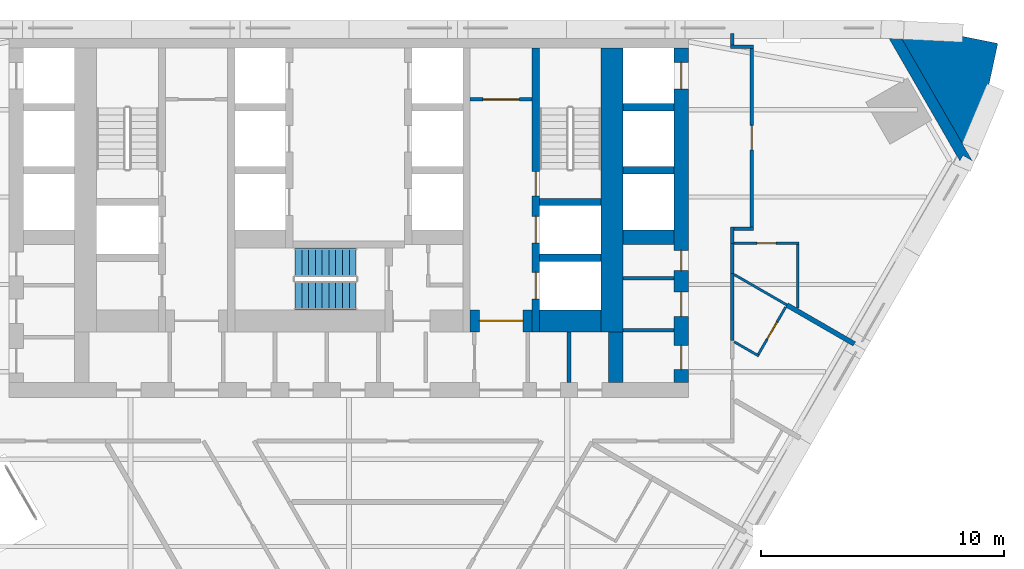
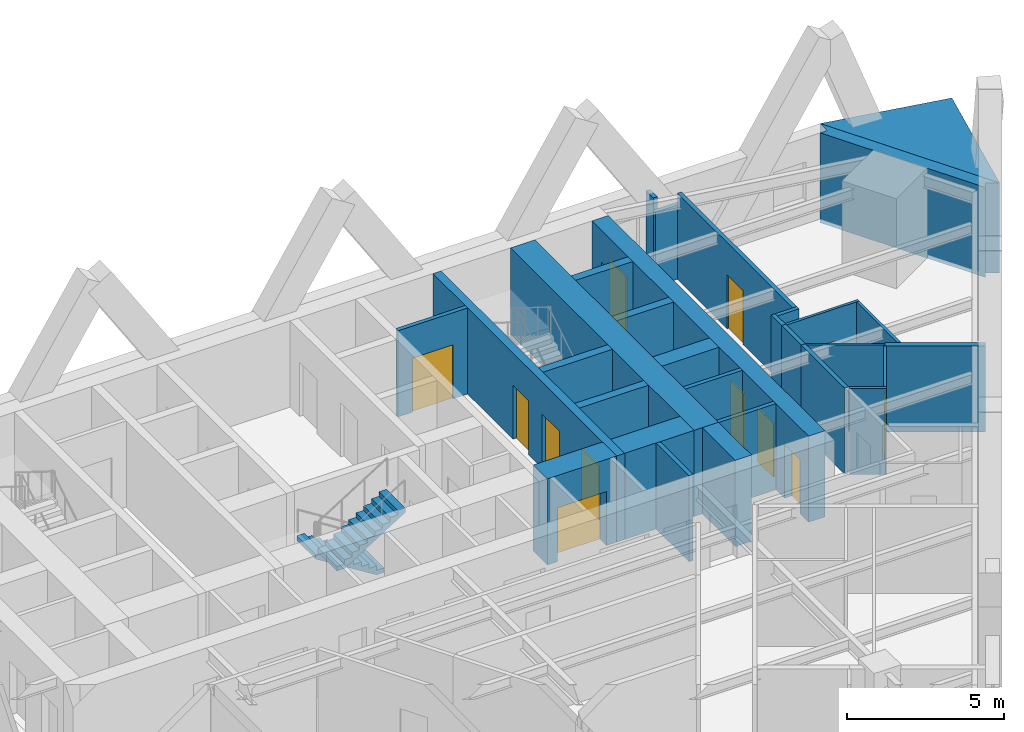
# One storey, part 9 of 12: 30 walls, 12 doors, 2 stair flights, 12 openings, 1 element without a shape of its own.
"""IFC4 building model written with IfcOpenShell, lengths in metres."""

import ifcopenshell
import ifcopenshell.guid

model = None  # the IFC model being written
_history = None  # IfcOwnerHistory: only IFC2X3 demands one
_inside = {}  # id of a spatial element -> (the spatial element, [elements in it])
_under = {}  # id of a project, library or spatial element -> (it, [spatial elements below it])
_declared = {}  # id of a project -> (the project, [libraries it declares])
_typed = {}  # id of a type object -> (the type object, [elements of that type])
_made_of = {}  # id of a material, layer set ... -> (it, [elements and type objects made of it])


def new_model(schema):
    """Start an empty IFC model of exactly this schema.

    Asked for "IFC4X3", IfcOpenShell would pick the latest addendum, in which some entities
    have other attributes; the version numbers below select the first issue.
    IFC2X3 requires an IfcOwnerHistory on every rooted entity: one is made here for all.
    """
    global model, _history
    if schema == "IFC4X3":
        model = ifcopenshell.file(schema_version=(4, 3, 0, 0))
    else:
        model = ifcopenshell.file(schema=schema)
    _inside.clear()
    _under.clear()
    _declared.clear()
    _typed.clear()
    _made_of.clear()
    _history = None
    if model.schema == "IFC2X3":
        org = make("IfcOrganization", Name="unknown")
        user = make(
            "IfcPersonAndOrganization",
            ThePerson=make("IfcPerson", FamilyName="unknown"),
            TheOrganization=org,
        )
        app = make(
            "IfcApplication",
            ApplicationDeveloper=org,
            Version="unknown",
            ApplicationFullName="unknown",
            ApplicationIdentifier="unknown",
        )
        _history = make(
            "IfcOwnerHistory",
            OwningUser=user,
            OwningApplication=app,
            ChangeAction="ADDED",
            CreationDate=0,
        )
    return model


def make(cls, **values):
    """One entity of the class cls with the attributes given. An attribute that is None is left unset."""
    return model.create_entity(
        cls, **{name: value for name, value in values.items() if value is not None}
    )


def rooted(cls, **values):
    """An entity with a GlobalId (a new one), such as an element, a storey or a relation."""
    return make(cls, GlobalId=ifcopenshell.guid.new(), OwnerHistory=_history, **values)


def si_unit(unit_type, name, prefix=None):
    """IfcSIUnit, for example si_unit("LENGTHUNIT", "METRE", prefix="MILLI")."""
    return make("IfcSIUnit", UnitType=unit_type, Prefix=prefix, Name=name)


def assignment(units):
    """IfcUnitAssignment: the units of a project."""
    return None if units is None else make("IfcUnitAssignment", Units=units)


def point(xyz):
    """IfcCartesianPoint."""
    return None if xyz is None else make("IfcCartesianPoint", Coordinates=xyz)


def direction(xyz):
    """IfcDirection."""
    return None if xyz is None else make("IfcDirection", DirectionRatios=xyz)


def frame(location, z_axis=None, x_axis=None):
    """IfcAxis2Placement3D, a coordinate frame: its origin and axes. An axis left out is left unset."""
    return make(
        "IfcAxis2Placement3D",
        Location=point(location),
        Axis=direction(z_axis),
        RefDirection=direction(x_axis),
    )


def frame_2d(location, x_axis=None):
    """IfcAxis2Placement2D, a coordinate frame in the plane: its origin and x axis."""
    return make(
        "IfcAxis2Placement2D", Location=point(location), RefDirection=direction(x_axis)
    )


def origin():
    """The frame at (0, 0, 0) with its axes left unset."""
    return frame((0.0, 0.0, 0.0))


def place(relative_to, where):
    """IfcLocalPlacement: puts the frame where relative to a parent placement (None: the world)."""
    return make(
        "IfcLocalPlacement", PlacementRelTo=relative_to, RelativePlacement=where
    )


def context(
    kind, dimensions, precision=None, world=None, true_north=None, identifier=None
):
    """IfcGeometricRepresentationContext, for example the 3D "Model" context."""
    return make(
        "IfcGeometricRepresentationContext",
        ContextIdentifier=identifier,
        ContextType=kind,
        CoordinateSpaceDimension=dimensions,
        Precision=precision,
        WorldCoordinateSystem=world,
        TrueNorth=true_north,
    )


def subcontext(parent, identifier, kind, view, scale=None):
    """IfcGeometricRepresentationSubContext, for example "Body" below "Model"."""
    return make(
        "IfcGeometricRepresentationSubContext",
        ContextIdentifier=identifier,
        ContextType=kind,
        ParentContext=parent,
        TargetScale=scale,
        TargetView=view,
    )


def project(units=None, contexts=None):
    """IfcProject with its units and contexts."""
    return rooted(
        "IfcProject",
        Name="project",
        RepresentationContexts=contexts,
        UnitsInContext=assignment(units),
    )


def spatial(cls, under=None, at=None, **own):
    """A site, building, storey or space (cls), placed at a placement, below another one or the project."""
    s = rooted(cls, ObjectPlacement=at, **own)
    if under is not None:
        _under.setdefault(under.id(), (under, []))[1].append(s)
    return s


def polyline(points):
    """IfcPolyline through the points."""
    return make("IfcPolyline", Points=[point(p) for p in points])


def profile(cls, at=None, kind="AREA", **sizes):
    """A parametric profile (cls). Its sizes go by their IFC names, for example OverallWidth=200.0."""
    return make(cls, ProfileType=kind, Position=at, **sizes)


def rectangle(**sizes):
    """IfcRectangleProfileDef."""
    return profile("IfcRectangleProfileDef", **sizes)


def outline(outer, holes=None, kind="AREA"):
    """IfcArbitraryClosedProfileDef: a profile drawn as a closed curve; with holes, ...WithVoids."""
    if holes is None:
        return make("IfcArbitraryClosedProfileDef", ProfileType=kind, OuterCurve=outer)
    return make(
        "IfcArbitraryProfileDefWithVoids",
        ProfileType=kind,
        OuterCurve=outer,
        InnerCurves=holes,
    )


def extrude(swept, where, along, depth):
    """IfcExtrudedAreaSolid: the profile swept, set in the frame where, extruded along a direction by depth."""
    return make(
        "IfcExtrudedAreaSolid",
        SweptArea=swept,
        Position=where,
        ExtrudedDirection=direction(along),
        Depth=depth,
    )


def shape(context_of_items, identifier, shape_type, items):
    """IfcShapeRepresentation: the items that make up one representation, for example the "Body"."""
    return make(
        "IfcShapeRepresentation",
        ContextOfItems=context_of_items,
        RepresentationIdentifier=identifier,
        RepresentationType=shape_type,
        Items=items,
    )


def material(Name=None, Category=None):
    """IfcMaterial."""
    return make("IfcMaterial", Name=Name, Category=Category)


def layer(
    of_material, thickness, ventilated=None, Name=None, Category=None, Priority=None
):
    """IfcMaterialLayer: one layer of a wall or slab, of a material (None: an air gap)."""
    return make(
        "IfcMaterialLayer",
        Material=of_material,
        LayerThickness=thickness,
        IsVentilated=ventilated,
        Name=Name,
        Category=Category,
        Priority=Priority,
    )


def layer_set(layers, Name=None):
    """IfcMaterialLayerSet."""
    return make("IfcMaterialLayerSet", MaterialLayers=layers, LayerSetName=Name)


def made_of(thing, what):
    """Note that an element or type object is made of a material, layer set ...; save() writes the relation."""
    if what is not None:
        _made_of.setdefault(what.id(), (what, []))[1].append(thing)
    return thing


def type_object(cls, material=None, **own):
    """A type object (cls), such as IfcWallType, which elements share."""
    return made_of(rooted(cls, **own), material)


def element(
    cls,
    number,
    at=None,
    inside=None,
    cuts=None,
    type_object=None,
    material=None,
    context=None,
    identifier="Body",
    shape_type=None,
    held_by="IfcProductDefinitionShape",
    body=None,
    shapes=None,
    **own,
):
    """One element of the class cls, such as IfcWall. Its Tag is "e" and its number.

    at: its placement. inside: the storey or other place that contains it. cuts: it is an
    opening in that element (IfcRelVoidsElement). A single representation is given by context,
    identifier, shape_type and body (its items); several are given by shapes. held_by: the class
    of the entity that holds the representations. save() writes the other relations.
    """
    e = rooted(cls, Tag="e%d" % number, ObjectPlacement=at, **own)
    if body is not None:
        shapes = [shape(context, identifier, shape_type, body)]
    if shapes is not None:
        e.Representation = make(held_by, Representations=shapes)
    if inside is not None:
        _inside.setdefault(inside.id(), (inside, []))[1].append(e)
    if cuts is not None:
        rooted(
            "IfcRelVoidsElement", RelatingBuildingElement=cuts, RelatedOpeningElement=e
        )
    if type_object is not None:
        _typed.setdefault(type_object.id(), (type_object, []))[1].append(e)
    return made_of(e, material)


def fill(opening, filler):
    """IfcRelFillsElement: the door or window that sits in an opening."""
    return rooted(
        "IfcRelFillsElement",
        RelatingOpeningElement=opening,
        RelatedBuildingElement=filler,
    )


def aggregate(whole, parts):
    """IfcRelAggregates: a whole, such as a stair, and the parts it consists of."""
    return rooted("IfcRelAggregates", RelatingObject=whole, RelatedObjects=parts)


def save(model, path):
    """Write the relations noted so far, then the file.

    IfcRelAggregates (storeys below a building ...), IfcRelContainedInSpatialStructure (elements
    in a storey), IfcRelDefinesByType, IfcRelAssociatesMaterial and IfcRelDeclares: one each for
    every whole, place, type object, material and project.
    """
    for whole, parts in _under.values():
        aggregate(whole, parts)
    for where, things in _inside.values():
        rooted(
            "IfcRelContainedInSpatialStructure",
            RelatedElements=things,
            RelatingStructure=where,
        )
    for kind, things in _typed.values():
        rooted("IfcRelDefinesByType", RelatedObjects=things, RelatingType=kind)
    for what, things in _made_of.values():
        rooted("IfcRelAssociatesMaterial", RelatedObjects=things, RelatingMaterial=what)
    for by, libraries in _declared.values():
        rooted("IfcRelDeclares", RelatingContext=by, RelatedDefinitions=libraries)
    model.write(path)


model = new_model("IFC4")

# Units and contexts
model_context = context("Model", 3, precision=1e-05, world=origin(), true_north=direction((0.0, 1.0)))
body_context = subcontext(model_context, "Body", "Model", "MODEL_VIEW")
ifc_project = project(units=[si_unit("LENGTHUNIT", "METRE"), si_unit("AREAUNIT", "SQUARE_METRE"), si_unit("VOLUMEUNIT", "CUBIC_METRE"), si_unit("PLANEANGLEUNIT", "RADIAN"), si_unit("MASSUNIT", "GRAM", prefix="KILO")], contexts=[model_context])

# Site, building, storey
site_placement = place(None, origin())
site = spatial("IfcSite", under=ifc_project, at=site_placement, CompositionType="ELEMENT")
building_placement = place(site_placement, origin())
building = spatial("IfcBuilding", under=site, at=building_placement, Name="Aloe Facet Convention Tower", CompositionType="ELEMENT")
storey_placement = place(building_placement, frame((0.0, 0.0, 56.0)))
storey = spatial("IfcBuildingStorey", under=building, at=storey_placement, Name="L12", CompositionType="ELEMENT", Elevation=56.0)

# Wall, opening, door
ifc_material_1 = material(Name="Concrete blockwork partition", Category="masonry")
ifc_layer_1 = layer(ifc_material_1, 0.14990234375)
ifc_layer_set_1 = layer_set([ifc_layer_1], Name="CR-W-PART150")
wall_type_1 = type_object("IfcWallType", Name="CR-W-PART150", PredefinedType="PARTITIONING", material=ifc_layer_set_1)
wall_1_placement = place(storey_placement, frame((85.0, 131.824951171875, 0.0), z_axis=(0.0, 0.0, 1.0), x_axis=(1.0, 0.0, 0.0)))
wall_1 = element("IfcWall", 1, at=wall_1_placement, inside=storey, type_object=wall_type_1, Name="Core partition L12-039", PredefinedType="PARTITIONING", context=body_context, shape_type="SweptSolid", body=[
    extrude(rectangle(XDim=2.550048828125, YDim=0.14990234375, at=frame_2d((1.27490234375, 0.0))), origin(), (0.0, 0.0, 1.0), 3.35009765625),
])
opening_1_placement = place(wall_1_placement, frame((0.52490234375, 0.0, 0.0)))
opening_1 = element("IfcOpeningElement", 2, at=opening_1_placement, cuts=wall_1, Name="Opening L12-CD21", PredefinedType="OPENING", context=body_context, shape_type="SweptSolid", body=[
    extrude(rectangle(XDim=1.5, YDim=2.10009765625, at=frame_2d((0.75, 1.050048828125))), frame((0.0, 0.0849609375, 0.0), z_axis=(0.0, -1.0, 0.0), x_axis=(1.0, 0.0, 0.0)), (0.0, 0.0, 1.0), 0.169921875),
])
ifc_material_2 = material(Name="Steel fire-resisting door set FD60", Category="steel")
door_type_1 = type_object("IfcDoorType", Name="CR-D-REFUGE-1500-FD60-DD", OperationType="DOUBLE_DOOR_DOUBLE_SWING", PredefinedType="DOOR", material=ifc_material_2)
door_1_placement = place(opening_1_placement, origin())
door_1 = element("IfcDoor", 3, at=door_1_placement, inside=storey, type_object=door_type_1, Name="Core door L12-CD21", OperationType="DOUBLE_DOOR_DOUBLE_SWING", OverallHeight=2.10009765625, OverallWidth=1.5, PredefinedType="DOOR", context=body_context, shape_type="SweptSolid", body=[
    extrude(rectangle(XDim=1.5, YDim=2.10009765625, at=frame_2d((0.75, 1.050048828125))), frame((0.0, 0.02490234375, 0.0), z_axis=(0.0, -1.0, 0.0), x_axis=(1.0, 0.0, 0.0)), (0.0, 0.0, 1.0), 0.050048828125),
])
fill(opening_1, door_1)

# Walls
wall_2_placement = place(storey_placement, frame((89.074951171875, 122.25, 0.0), z_axis=(0.0, 0.0, 1.0), x_axis=(0.0, -1.0, 0.0)))
element("IfcWall", 4, at=wall_2_placement, inside=storey, type_object=wall_type_1, Name="Core partition L12-047", PredefinedType="PARTITIONING", context=body_context, shape_type="SweptSolid", body=[
    extrude(rectangle(XDim=2.10009765625, YDim=0.14990234375, at=frame_2d((1.050048828125, 0.0))), origin(), (0.0, 0.0, 1.0), 3.35009765625),
])
for number, where, z_axis, x_axis, name in (
    (5, (91.300048828125, 124.44873046875, 0.0), (0.0, 0.0, 1.0), (1.0, 0.0, 0.0), "Core partition L12-053"),
    (6, (91.300048828125, 122.309326171875, 0.0), (0.0, 0.0, 1.0), (1.0, 0.0, 0.0), "Core partition L12-054"),
):
    element("IfcWall", number, at=place(storey_placement, frame(where, z_axis=z_axis, x_axis=x_axis)), inside=storey, type_object=wall_type_1, Name=name, PredefinedType="PARTITIONING", context=body_context, shape_type="SweptSolid", body=[
        extrude(rectangle(XDim=2.099853515625, YDim=0.14990234375, at=frame_2d((1.0498046875, 0.0))), origin(), (0.0, 0.0, 1.0), 3.35009765625),
    ])

# Wall, openings, doors
ifc_material_3 = material(Name="Concrete C80/95", Category="concrete")
ifc_layer_2 = layer(ifc_material_3, 0.300048828125)
ifc_layer_set_2 = layer_set([ifc_layer_2], Name="CR-W-RC300-C8095")
wall_type_2 = type_object("IfcWallType", Name="CR-W-RC300-C8095", PredefinedType="SOLIDWALL", material=ifc_layer_set_2)
wall_3_placement = place(storey_placement, frame((87.699951171875, 133.949951171875, 0.0), z_axis=(0.0, 0.0, 1.0), x_axis=(0.0, -1.0, 0.0)))
wall_3 = element("IfcWall", 7, at=wall_3_placement, inside=storey, type_object=wall_type_2, Name="Core wall L12-043", PredefinedType="SOLIDWALL", context=body_context, shape_type="SweptSolid", body=[
    extrude(rectangle(XDim=11.699951171875, YDim=0.300048828125, at=frame_2d((5.85009765625, 0.0))), origin(), (0.0, 0.0, 1.0), 3.35009765625),
])
opening_2_placement = place(wall_3_placement, frame((6.949951171875, 0.0, 0.0)))
opening_2 = element("IfcOpeningElement", 8, at=opening_2_placement, cuts=wall_3, Name="Opening LD-FF2-L12", PredefinedType="OPENING", context=body_context, shape_type="SweptSolid", body=[
    extrude(rectangle(XDim=1.10009765625, YDim=2.10009765625, at=frame_2d((0.550048828125, 1.050048828125))), frame((0.0, 0.16015625, 0.0), z_axis=(0.0, -1.0, 0.0), x_axis=(1.0, 0.0, 0.0)), (0.0, 0.0, 1.0), 0.320068359375),
])
opening_3_placement = place(wall_3_placement, frame((5.10009765625, 0.0, 0.0)))
opening_3 = element("IfcOpeningElement", 9, at=opening_3_placement, cuts=wall_3, Name="Opening L12-CD32", PredefinedType="OPENING", context=body_context, shape_type="SweptSolid", body=[
    extrude(rectangle(XDim=1.0, YDim=2.10009765625, at=frame_2d((0.5, 1.050048828125))), frame((0.0, 0.16015625, 0.0), z_axis=(0.0, -1.0, 0.0), x_axis=(1.0, 0.0, 0.0)), (0.0, 0.0, 1.0), 0.320068359375),
])
opening_4_placement = place(wall_3_placement, frame((9.25, 0.0, 0.0)))
opening_4 = element("IfcOpeningElement", 10, at=opening_4_placement, cuts=wall_3, Name="Opening LD-SV1-L12", PredefinedType="OPENING", context=body_context, shape_type="SweptSolid", body=[
    extrude(rectangle(XDim=1.10009765625, YDim=2.10009765625, at=frame_2d((0.550048828125, 1.050048828125))), frame((0.0, 0.16015625, 0.0), z_axis=(0.0, -1.0, 0.0), x_axis=(1.0, 0.0, 0.0)), (0.0, 0.0, 1.0), 0.320068359375),
])
ifc_material_4 = material(Name="Steel fire-resisting door set FD120", Category="steel")
door_type_2 = type_object("IfcDoorType", Name="CR-D-STAIR-1000-FD120-SLEFT", OperationType="SINGLE_SWING_LEFT", PredefinedType="DOOR", material=ifc_material_4)
door_2_placement = place(opening_3_placement, origin())
door_2 = element("IfcDoor", 11, at=door_2_placement, inside=storey, type_object=door_type_2, Name="Core door L12-CD32", OperationType="SINGLE_SWING_LEFT", OverallHeight=2.10009765625, OverallWidth=1.0, PredefinedType="DOOR", context=body_context, shape_type="SweptSolid", body=[
    extrude(rectangle(XDim=1.0, YDim=2.10009765625, at=frame_2d((0.5, 1.050048828125))), frame((0.0, 0.02490234375, 0.0), z_axis=(0.0, -1.0, 0.0), x_axis=(1.0, 0.0, 0.0)), (0.0, 0.0, 1.0), 0.050048828125),
])
fill(opening_3, door_2)
ifc_material_5 = material(Name="Stainless steel sliding landing door", Category="steel")
door_type_3 = type_object("IfcDoorType", Name="CR-LD-1100-FD120-_LEFT", OperationType="SLIDING_TO_LEFT", PredefinedType="DOOR", material=ifc_material_5)
door_3_placement = place(opening_2_placement, origin())
door_3 = element("IfcDoor", 12, at=door_3_placement, inside=storey, type_object=door_type_3, Name="Landing door FF2 L12", OperationType="SLIDING_TO_LEFT", OverallHeight=2.10009765625, OverallWidth=1.10009765625, PredefinedType="DOOR", context=body_context, shape_type="SweptSolid", body=[
    extrude(rectangle(XDim=1.10009765625, YDim=2.10009765625, at=frame_2d((0.550048828125, 1.050048828125))), frame((0.0, 0.02490234375, 0.0), z_axis=(0.0, -1.0, 0.0), x_axis=(1.0, 0.0, 0.0)), (0.0, 0.0, 1.0), 0.050048828125),
])
fill(opening_2, door_3)
door_4_placement = place(opening_4_placement, origin())
door_4 = element("IfcDoor", 13, at=door_4_placement, inside=storey, type_object=door_type_3, Name="Landing door SV1 L12", OperationType="SLIDING_TO_LEFT", OverallHeight=2.10009765625, OverallWidth=1.10009765625, PredefinedType="DOOR", context=body_context, shape_type="SweptSolid", body=[
    extrude(rectangle(XDim=1.10009765625, YDim=2.10009765625, at=frame_2d((0.550048828125, 1.050048828125))), frame((0.0, 0.02490234375, 0.0), z_axis=(0.0, -1.0, 0.0), x_axis=(1.0, 0.0, 0.0)), (0.0, 0.0, 1.0), 0.050048828125),
])
fill(opening_4, door_4)

# Walls
for number, where, z_axis, x_axis, name in (
    (14, (87.85009765625, 127.60009765625, 0.0), (0.0, 0.0, 1.0), (1.0, 0.0, 0.0), "Core wall L12-044"),
    (15, (87.85009765625, 125.300048828125, 0.0), (0.0, 0.0, 1.0), (1.0, 0.0, 0.0), "Core wall L12-045"),
):
    element("IfcWall", number, at=place(storey_placement, frame(where, z_axis=z_axis, x_axis=x_axis)), inside=storey, type_object=wall_type_2, Name=name, PredefinedType="SOLIDWALL", context=body_context, shape_type="SweptSolid", body=[
        extrude(rectangle(XDim=2.5498046875, YDim=0.300048828125, at=frame_2d((1.27490234375, 0.0))), origin(), (0.0, 0.0, 1.0), 3.35009765625),
    ])
for number, where, z_axis, x_axis, name in (
    (16, (91.300048828125, 131.5, 0.0), (0.0, 0.0, 1.0), (1.0, 0.0, 0.0), "Core wall L12-050"),
    (17, (91.300048828125, 128.89990234375, 0.0), (0.0, 0.0, 1.0), (1.0, 0.0, 0.0), "Core wall L12-051"),
):
    element("IfcWall", number, at=place(storey_placement, frame(where, z_axis=z_axis, x_axis=x_axis)), inside=storey, type_object=wall_type_2, Name=name, PredefinedType="SOLIDWALL", context=body_context, shape_type="SweptSolid", body=[
        extrude(rectangle(XDim=2.099853515625, YDim=0.300048828125, at=frame_2d((1.0498046875, 0.0))), origin(), (0.0, 0.0, 1.0), 3.35009765625),
    ])
ifc_material_6 = material(Name="Concrete C80/95", Category="concrete")
ifc_layer_3 = layer(ifc_material_6, 0.60009765625)
ifc_layer_set_3 = layer_set([ifc_layer_3], Name="CR-W-RC600-C8095")
wall_type_3 = type_object("IfcWallType", Name="CR-W-RC600-C8095", PredefinedType="SOLIDWALL", material=ifc_layer_set_3)
wall_4_placement = place(storey_placement, frame((91.0, 122.25, 0.0), z_axis=(0.0, 0.0, 1.0), x_axis=(0.0, -1.0, 0.0)))
element("IfcWall", 18, at=wall_4_placement, inside=storey, type_object=wall_type_3, Name="Core wall L12-049", PredefinedType="SOLIDWALL", context=body_context, shape_type="SweptSolid", body=[
    extrude(rectangle(XDim=2.10009765625, YDim=0.60009765625, at=frame_2d((1.050048828125, 0.0))), origin(), (0.0, 0.0, 1.0), 3.35009765625),
])
wall_5_placement = place(storey_placement, frame((91.300048828125, 126.14990234375, 0.0), z_axis=(0.0, 0.0, 1.0), x_axis=(1.0, 0.0, 0.0)))
element("IfcWall", 19, at=wall_5_placement, inside=storey, type_object=wall_type_3, Name="Core wall L12-052", PredefinedType="SOLIDWALL", context=body_context, shape_type="SweptSolid", body=[
    extrude(rectangle(XDim=2.099853515625, YDim=0.60009765625, at=frame_2d((1.0498046875, 0.0))), origin(), (0.0, 0.0, 1.0), 3.35009765625),
])

# Wall, openings, doors
wall_6_placement = place(storey_placement, frame((93.699951171875, 133.949951171875, 0.0), z_axis=(0.0, 0.0, 1.0), x_axis=(0.0, -1.0, 0.0)))
wall_6 = element("IfcWall", 20, at=wall_6_placement, inside=storey, type_object=wall_type_3, Name="Core wall L12-055", PredefinedType="SOLIDWALL", context=body_context, shape_type="SweptSolid", body=[
    extrude(rectangle(XDim=13.800048828125, YDim=0.60009765625, at=frame_2d((6.89990234375, 0.0))), origin(), (0.0, 0.0, 1.0), 3.35009765625),
])
opening_5_placement = place(wall_6_placement, frame((0.60009765625, 0.0, 0.0)))
opening_5 = element("IfcOpeningElement", 21, at=opening_5_placement, cuts=wall_6, Name="Opening LD-A8-L12", PredefinedType="OPENING", context=body_context, shape_type="SweptSolid", body=[
    extrude(rectangle(XDim=1.10009765625, YDim=2.10009765625, at=frame_2d((0.550048828125, 1.050048828125))), frame((0.0, 0.31005859375, 0.0), z_axis=(0.0, -1.0, 0.0), x_axis=(1.0, 0.0, 0.0)), (0.0, 0.0, 1.0), 0.6201171875),
])
opening_6_placement = place(wall_6_placement, frame((8.35009765625, 0.0, 0.0)))
opening_6 = element("IfcOpeningElement", 22, at=opening_6_placement, cuts=wall_6, Name="Opening L12-CD09", PredefinedType="OPENING", context=body_context, shape_type="SweptSolid", body=[
    extrude(rectangle(XDim=0.826416015625, YDim=2.10009765625, at=frame_2d((0.4130859375, 1.050048828125))), frame((0.0, 0.31005859375, 0.0), z_axis=(0.0, -1.0, 0.0), x_axis=(1.0, 0.0, 0.0)), (0.0, 0.0, 1.0), 0.6201171875),
])
opening_7_placement = place(wall_6_placement, frame((10.071044921875, 0.0, 0.0)))
opening_7 = element("IfcOpeningElement", 23, at=opening_7_placement, cuts=wall_6, Name="Opening L12-CD10", PredefinedType="OPENING", context=body_context, shape_type="SweptSolid", body=[
    extrude(rectangle(XDim=1.0, YDim=2.10009765625, at=frame_2d((0.5, 1.050048828125))), frame((0.0, 0.31005859375, 0.0), z_axis=(0.0, -1.0, 0.0), x_axis=(1.0, 0.0, 0.0)), (0.0, 0.0, 1.0), 0.6201171875),
])
opening_8_placement = place(wall_6_placement, frame((12.2578125, 0.0, 0.0)))
opening_8 = element("IfcOpeningElement", 24, at=opening_8_placement, cuts=wall_6, Name="Opening L12-CD11", PredefinedType="OPENING", context=body_context, shape_type="SweptSolid", body=[
    extrude(rectangle(XDim=1.0, YDim=2.10009765625, at=frame_2d((0.5, 1.050048828125))), frame((0.0, 0.31005859375, 0.0), z_axis=(0.0, -1.0, 0.0), x_axis=(1.0, 0.0, 0.0)), (0.0, 0.0, 1.0), 0.6201171875),
])
ifc_material_7 = material(Name="Steel fire-resisting door set FD60", Category="steel")
door_type_4 = type_object("IfcDoorType", Name="CR-D-ROOM-1000-FD60-SLEFT", OperationType="SINGLE_SWING_LEFT", PredefinedType="DOOR", material=ifc_material_7)
door_5_placement = place(opening_7_placement, origin())
door_5 = element("IfcDoor", 25, at=door_5_placement, inside=storey, type_object=door_type_4, Name="Core door L12-CD10", OperationType="SINGLE_SWING_LEFT", OverallHeight=2.10009765625, OverallWidth=1.0, PredefinedType="DOOR", context=body_context, shape_type="SweptSolid", body=[
    extrude(rectangle(XDim=1.0, YDim=2.10009765625, at=frame_2d((0.5, 1.050048828125))), frame((0.0, 0.02490234375, 0.0), z_axis=(0.0, -1.0, 0.0), x_axis=(1.0, 0.0, 0.0)), (0.0, 0.0, 1.0), 0.050048828125),
])
fill(opening_7, door_5)
door_6_placement = place(opening_8_placement, origin())
door_6 = element("IfcDoor", 26, at=door_6_placement, inside=storey, type_object=door_type_4, Name="Core door L12-CD11", OperationType="SINGLE_SWING_LEFT", OverallHeight=2.10009765625, OverallWidth=1.0, PredefinedType="DOOR", context=body_context, shape_type="SweptSolid", body=[
    extrude(rectangle(XDim=1.0, YDim=2.10009765625, at=frame_2d((0.5, 1.050048828125))), frame((0.0, 0.02490234375, 0.0), z_axis=(0.0, -1.0, 0.0), x_axis=(1.0, 0.0, 0.0)), (0.0, 0.0, 1.0), 0.050048828125),
])
fill(opening_8, door_6)
ifc_material_8 = material(Name="Steel fire-resisting door set FD60", Category="steel")
door_type_5 = type_object("IfcDoorType", Name="CR-D-ROOM-826-FD60-SLEFT", OperationType="SINGLE_SWING_LEFT", PredefinedType="DOOR", material=ifc_material_8)
door_7_placement = place(opening_6_placement, origin())
door_7 = element("IfcDoor", 27, at=door_7_placement, inside=storey, type_object=door_type_5, Name="Core door L12-CD09", OperationType="SINGLE_SWING_LEFT", OverallHeight=2.10009765625, OverallWidth=0.826416015625, PredefinedType="DOOR", context=body_context, shape_type="SweptSolid", body=[
    extrude(rectangle(XDim=0.826416015625, YDim=2.10009765625, at=frame_2d((0.4130859375, 1.050048828125))), frame((0.0, 0.02490234375, 0.0), z_axis=(0.0, -1.0, 0.0), x_axis=(1.0, 0.0, 0.0)), (0.0, 0.0, 1.0), 0.050048828125),
])
fill(opening_6, door_7)
ifc_material_9 = material(Name="Stainless steel sliding landing door", Category="steel")
door_type_6 = type_object("IfcDoorType", Name="CR-LD-1100-FD60-_LEFT", OperationType="SLIDING_TO_LEFT", PredefinedType="DOOR", material=ifc_material_9)
door_8_placement = place(opening_5_placement, origin())
door_8 = element("IfcDoor", 28, at=door_8_placement, inside=storey, type_object=door_type_6, Name="Landing door A8 L12", OperationType="SLIDING_TO_LEFT", OverallHeight=2.10009765625, OverallWidth=1.10009765625, PredefinedType="DOOR", context=body_context, shape_type="SweptSolid", body=[
    extrude(rectangle(XDim=1.10009765625, YDim=2.10009765625, at=frame_2d((0.550048828125, 1.050048828125))), frame((0.0, 0.02490234375, 0.0), z_axis=(0.0, -1.0, 0.0), x_axis=(1.0, 0.0, 0.0)), (0.0, 0.0, 1.0), 0.050048828125),
])
fill(opening_5, door_8)

# Wall, opening, door
ifc_material_10 = material(Name="Concrete C80/95", Category="concrete")
ifc_layer_4 = layer(ifc_material_10, 0.89990234375)
ifc_layer_set_4 = layer_set([ifc_layer_4], Name="CR-W-RC900-C8095")
wall_type_4 = type_object("IfcWallType", Name="CR-W-RC900-C8095", PredefinedType="SOLIDWALL", material=ifc_layer_set_4)
wall_7_placement = place(storey_placement, frame((85.0, 122.699951171875, 0.0), z_axis=(0.0, 0.0, 1.0), x_axis=(1.0, 0.0, 0.0)))
wall_7 = element("IfcWall", 29, at=wall_7_placement, inside=storey, type_object=wall_type_4, Name="Core wall L12-040", PredefinedType="SOLIDWALL", context=body_context, shape_type="SweptSolid", body=[
    extrude(rectangle(XDim=2.550048828125, YDim=0.89990234375, at=frame_2d((1.27490234375, 0.0))), origin(), (0.0, 0.0, 1.0), 3.35009765625),
])
opening_9_placement = place(wall_7_placement, frame((0.375, 0.0, 0.0)))
opening_9 = element("IfcOpeningElement", 30, at=opening_9_placement, cuts=wall_7, Name="Opening L12-CD14", PredefinedType="OPENING", context=body_context, shape_type="SweptSolid", body=[
    extrude(rectangle(XDim=1.800048828125, YDim=2.10009765625, at=frame_2d((0.89990234375, 1.050048828125))), frame((0.0, 0.4599609375, 0.0), z_axis=(0.0, -1.0, 0.0), x_axis=(1.0, 0.0, 0.0)), (0.0, 0.0, 1.0), 0.919921875),
])
ifc_material_11 = material(Name="Steel fire-resisting door set FD120", Category="steel")
door_type_7 = type_object("IfcDoorType", Name="CR-D-EXIT-1800-FD120-DD", OperationType="DOUBLE_DOOR_DOUBLE_SWING", PredefinedType="DOOR", material=ifc_material_11)
door_9_placement = place(opening_9_placement, origin())
door_9 = element("IfcDoor", 31, at=door_9_placement, inside=storey, type_object=door_type_7, Name="Core door L12-CD14", OperationType="DOUBLE_DOOR_DOUBLE_SWING", OverallHeight=2.10009765625, OverallWidth=1.800048828125, PredefinedType="DOOR", context=body_context, shape_type="SweptSolid", body=[
    extrude(rectangle(XDim=1.800048828125, YDim=2.10009765625, at=frame_2d((0.89990234375, 1.050048828125))), frame((0.0, 0.02490234375, 0.0), z_axis=(0.0, -1.0, 0.0), x_axis=(1.0, 0.0, 0.0)), (0.0, 0.0, 1.0), 0.050048828125),
])
fill(opening_9, door_9)

# Walls
wall_8_placement = place(storey_placement, frame((87.85009765625, 122.699951171875, 0.0), z_axis=(0.0, 0.0, 1.0), x_axis=(1.0, 0.0, 0.0)))
element("IfcWall", 32, at=wall_8_placement, inside=storey, type_object=wall_type_4, Name="Core wall L12-046", PredefinedType="SOLIDWALL", context=body_context, shape_type="SweptSolid", body=[
    extrude(rectangle(XDim=2.5498046875, YDim=0.89990234375, at=frame_2d((1.27490234375, 0.0))), origin(), (0.0, 0.0, 1.0), 3.35009765625),
])
wall_9_placement = place(storey_placement, frame((90.85009765625, 133.949951171875, 0.0), z_axis=(0.0, 0.0, 1.0), x_axis=(0.0, -1.0, 0.0)))
element("IfcWall", 33, at=wall_9_placement, inside=storey, type_object=wall_type_4, Name="Core wall L12-048", PredefinedType="SOLIDWALL", context=body_context, shape_type="SweptSolid", body=[
    extrude(rectangle(XDim=11.699951171875, YDim=0.89990234375, at=frame_2d((5.85009765625, 0.0))), origin(), (0.0, 0.0, 1.0), 3.35009765625),
])
ifc_material_12 = material(Name="Precast concrete C40/50", Category="concrete")
ifc_layer_5 = layer(ifc_material_12, 0.449951171875)
ifc_layer_set_5 = layer_set([ifc_layer_5], Name="EV-WALL-PIER")
wall_type_5 = type_object("IfcWallType", Name="EV-WALL-PIER", PredefinedType="SOLIDWALL", material=ifc_layer_set_5)
wall_10_placement = place(storey_placement, frame((0.0, 0.0, -0.14990234375)))
element("IfcWall", 34, at=wall_10_placement, inside=storey, type_object=wall_type_5, Name="EP-L12-C", PredefinedType="SOLIDWALL", context=body_context, shape_type="SweptSolid", body=[
    extrude(outline(polyline([(105.699951171875, 129.2841796875), (105.310302734375, 129.50927734375), (105.180419921875, 129.2841796875), (102.14013671875, 134.550048828125), (102.39990234375, 134.550048828125), (102.39990234375, 135.0), (105.699951171875, 129.2841796875)])), origin(), (0.0, 0.0, 1.0), 3.5),
])
ifc_material_13 = material(Name="Precast concrete C40/50", Category="concrete")
ifc_layer_6 = layer(ifc_material_13, 3.947998046875)
ifc_layer_set_6 = layer_set([ifc_layer_6], Name="EV-WALL-SPINE")
wall_type_6 = type_object("IfcWallType", Name="EV-WALL-SPINE", PredefinedType="SOLIDWALL", material=ifc_layer_set_6)
wall_11_placement = place(storey_placement, frame((0.0, 0.0, -0.14990234375)))
element("IfcWall", 35, at=wall_11_placement, inside=storey, type_object=wall_type_6, Name="SP-NE-L12", PredefinedType="SOLIDWALL", context=body_context, shape_type="SweptSolid", body=[
    extrude(outline(polyline([(105.699951171875, 129.2841796875), (106.744140625, 134.133544921875), (102.39990234375, 135.0), (105.699951171875, 129.2841796875)])), origin(), (0.0, 0.0, 1.0), 3.5),
])
ifc_material_14 = material(Name="Gypsum board partition on steel studs", Category="steel")
ifc_layer_7 = layer(ifc_material_14, 0.14990234375)
ifc_layer_set_7 = layer_set([ifc_layer_7], Name="IN-W-CORR")
wall_type_7 = type_object("IfcWallType", Name="IN-W-CORR", PredefinedType="PARTITIONING", material=ifc_layer_set_7)
wall_12_placement = place(storey_placement, frame((95.800048828125, 121.882568359375, 0.0), z_axis=(0.0, 0.0, 1.0), x_axis=(0.0, 1.0, 0.0)))
element("IfcWall", 36, at=wall_12_placement, inside=storey, type_object=wall_type_7, Name="Partition L12-W081", PredefinedType="PARTITIONING", context=body_context, shape_type="SweptSolid", body=[
    extrude(rectangle(XDim=2.771240234375, YDim=0.14990234375, at=frame_2d((1.3857421875, 0.0))), origin(), (0.0, 0.0, 1.0), 3.35009765625),
])
wall_13_placement = place(storey_placement, frame((95.800048828125, 124.65380859375, 0.0), z_axis=(0.0, 0.0, 1.0), x_axis=(0.0, 1.0, 0.0)))
element("IfcWall", 37, at=wall_13_placement, inside=storey, type_object=wall_type_7, Name="Partition L12-W091", PredefinedType="PARTITIONING", context=body_context, shape_type="SweptSolid", body=[
    extrude(rectangle(XDim=1.2412109375, YDim=0.14990234375, at=frame_2d((0.62060546875, 0.0))), origin(), (0.0, 0.0, 1.0), 3.35009765625),
])
wall_14_placement = place(storey_placement, frame((95.800048828125, 125.89501953125, 0.0), z_axis=(0.0, 0.0, 1.0), x_axis=(0.0, 1.0, 0.0)))
element("IfcWall", 38, at=wall_14_placement, inside=storey, type_object=wall_type_7, Name="Partition L12-W097", PredefinedType="PARTITIONING", context=body_context, shape_type="SweptSolid", body=[
    extrude(rectangle(XDim=0.679931640625, YDim=0.14990234375, at=frame_2d((0.33984375, 0.0))), origin(), (0.0, 0.0, 1.0), 3.35009765625),
])
wall_15_placement = place(storey_placement, frame((95.875, 126.5, 0.0), z_axis=(0.0, 0.0, 1.0), x_axis=(1.0, 0.0, 0.0)))
element("IfcWall", 39, at=wall_15_placement, inside=storey, type_object=wall_type_7, Name="Partition L12-W098", PredefinedType="PARTITIONING", context=body_context, shape_type="SweptSolid", body=[
    extrude(rectangle(XDim=0.800048828125, YDim=0.14990234375, at=frame_2d((0.39990234375, 0.0))), origin(), (0.0, 0.0, 1.0), 3.35009765625),
])
wall_16_placement = place(storey_placement, frame((95.72509765625, 134.0, 0.0), z_axis=(0.0, 0.0, 1.0), x_axis=(1.0, 0.0, 0.0)))
element("IfcWall", 40, at=wall_16_placement, inside=storey, type_object=wall_type_7, Name="Partition L12-W112", PredefinedType="PARTITIONING", context=body_context, shape_type="SweptSolid", body=[
    extrude(rectangle(XDim=0.949462890625, YDim=0.14990234375, at=frame_2d((0.474609375, 0.0))), origin(), (0.0, 0.0, 1.0), 2.88671875),
])

# Wall, opening, door
wall_17_placement = place(storey_placement, frame((96.599609375, 133.925048828125, 0.0), z_axis=(0.0, 0.0, 1.0), x_axis=(6.643194e-05, -0.999999997793, 0.0)))
wall_17 = element("IfcWall", 41, at=wall_17_placement, inside=storey, type_object=wall_type_7, Name="Partition L12-W113", PredefinedType="PARTITIONING", context=body_context, shape_type="SweptSolid", body=[
    extrude(rectangle(XDim=7.35009765625, YDim=0.14990234375, at=frame_2d((3.675048828125, 0.0))), origin(), (0.0, 0.0, 1.0), 3.35009765625),
])
opening_10_placement = place(wall_17_placement, frame((3.175048828125, 0.0, 0.0)))
opening_10 = element("IfcOpeningElement", 42, at=opening_10_placement, cuts=wall_17, Name="Opening L12-001", PredefinedType="OPENING", context=body_context, shape_type="SweptSolid", body=[
    extrude(rectangle(XDim=1.0, YDim=2.10009765625, at=frame_2d((0.5, 1.050048828125))), frame((0.0, 0.0849609375, 0.0), z_axis=(0.0, -1.0, 0.0), x_axis=(1.0, 0.0, 0.0)), (0.0, 0.0, 1.0), 0.169921875),
])
ifc_material_15 = material(Name="Hardwood flush door FD30S", Category="wood")
door_type_8 = type_object("IfcDoorType", Name="IN-D-WIDE", OperationType="SINGLE_SWING_LEFT", PredefinedType="DOOR", material=ifc_material_15)
door_10_placement = place(opening_10_placement, origin())
door_10 = element("IfcDoor", 43, at=door_10_placement, inside=storey, type_object=door_type_8, Name="Door L12-001", OperationType="SINGLE_SWING_LEFT", OverallHeight=2.10009765625, OverallWidth=1.0, PredefinedType="DOOR", context=body_context, shape_type="SweptSolid", body=[
    extrude(rectangle(XDim=1.0, YDim=2.10009765625, at=frame_2d((0.5, 1.050048828125))), frame((0.0, 0.02490234375, 0.0), z_axis=(0.0, -1.0, 0.0), x_axis=(1.0, 0.0, 0.0)), (0.0, 0.0, 1.0), 0.050048828125),
])
fill(opening_10, door_10)

# Walls
wall_18_placement = place(storey_placement, frame((95.800048828125, 134.074951171875, 0.0), z_axis=(0.0, 0.0, 1.0), x_axis=(0.0, 1.0, 0.0)))
element("IfcWall", 44, at=wall_18_placement, inside=storey, type_object=wall_type_7, Name="Partition L12-W114", PredefinedType="PARTITIONING", context=body_context, shape_type="SweptSolid", body=[
    extrude(rectangle(XDim=0.465087890625, YDim=0.14990234375, at=frame_2d((0.232421875, 0.0))), origin(), (0.0, 0.0, 1.0), 3.35009765625),
])
ifc_material_16 = material(Name="Gypsum board partition on steel studs", Category="steel")
ifc_layer_8 = layer(ifc_material_16, 0.10009765625)
ifc_layer_set_8 = layer_set([ifc_layer_8], Name="IN-W-PART")
wall_type_8 = type_object("IfcWallType", Name="IN-W-PART", PredefinedType="PARTITIONING", material=ifc_layer_set_8)
wall_19_placement = place(storey_placement, frame((95.88232421875, 121.835205078125, 0.0), z_axis=(0.0, 0.0, 1.0), x_axis=(0.86601174498, -0.500023656998, 0.0)))
element("IfcWall", 45, at=wall_19_placement, inside=storey, type_object=wall_type_8, Name="Partition L12-W078", PredefinedType="PARTITIONING", context=body_context, shape_type="SweptSolid", body=[
    extrude(rectangle(XDim=1.16943359375, YDim=0.10009765625, at=frame_2d((0.584716796875, 0.0))), origin(), (0.0, 0.0, 1.0), 3.35009765625),
])
wall_20_placement = place(storey_placement, frame((95.88232421875, 124.6064453125, 0.0), z_axis=(0.0, 0.0, 1.0), x_axis=(0.866039519639, -0.499975549825, 0.0)))
element("IfcWall", 46, at=wall_20_placement, inside=storey, type_object=wall_type_8, Name="Partition L12-W086", PredefinedType="PARTITIONING", context=body_context, shape_type="SweptSolid", body=[
    extrude(rectangle(XDim=2.505126953125, YDim=0.10009765625, at=frame_2d((1.25244140625, 0.0))), origin(), (0.0, 0.0, 1.0), 3.35009765625),
])

# Wall, opening, door
wall_21_placement = place(storey_placement, frame((96.876708984375, 121.318603515625, 0.0), z_axis=(0.0, 0.0, 1.0), x_axis=(0.499966648284, 0.866044658551, 0.0)))
wall_21 = element("IfcWall", 47, at=wall_21_placement, inside=storey, type_object=wall_type_8, Name="Partition L12-W087", PredefinedType="PARTITIONING", context=body_context, shape_type="SweptSolid", body=[
    extrude(rectangle(XDim=2.250244140625, YDim=0.10009765625, at=frame_2d((1.125, 0.0))), origin(), (0.0, 0.0, 1.0), 3.35009765625),
])
opening_11_placement = place(wall_21_placement, frame((0.72509765625, 0.0, 0.0)))
opening_11 = element("IfcOpeningElement", 48, at=opening_11_placement, cuts=wall_21, Name="Opening L12-028", PredefinedType="OPENING", context=body_context, shape_type="SweptSolid", body=[
    extrude(rectangle(XDim=0.800048828125, YDim=2.10009765625, at=frame_2d((0.39990234375, 1.050048828125))), frame((0.0, 0.06005859375, 0.0), z_axis=(0.0, -1.0, 0.0), x_axis=(1.0, 0.0, 0.0)), (0.0, 0.0, 1.0), 0.1201171875),
])
ifc_material_17 = material(Name="Timber flush door", Category="wood")
door_type_9 = type_object("IfcDoorType", Name="IN-D-BATH", OperationType="SINGLE_SWING_LEFT", PredefinedType="DOOR", material=ifc_material_17)
door_11_placement = place(opening_11_placement, origin())
door_11 = element("IfcDoor", 49, at=door_11_placement, inside=storey, type_object=door_type_9, Name="Door L12-028", OperationType="SINGLE_SWING_LEFT", OverallHeight=2.10009765625, OverallWidth=0.800048828125, PredefinedType="DOOR", context=body_context, shape_type="SweptSolid", body=[
    extrude(rectangle(XDim=0.800048828125, YDim=2.10009765625, at=frame_2d((0.39990234375, 1.050048828125))), frame((0.0, 0.02490234375, 0.0), z_axis=(0.0, -1.0, 0.0), x_axis=(1.0, 0.0, 0.0)), (0.0, 0.0, 1.0), 0.050048828125),
])
fill(opening_11, door_11)

wall_22_placement = place(storey_placement, frame((95.875, 125.89501953125, 0.0), z_axis=(0.0, 0.0, 1.0), x_axis=(1.0, 0.0, 0.0)))
wall_22 = element("IfcWall", 50, at=wall_22_placement, inside=storey, type_object=wall_type_8, Name="Partition L12-W093", PredefinedType="PARTITIONING", context=body_context, shape_type="SweptSolid", body=[
    extrude(rectangle(XDim=2.675048828125, YDim=0.10009765625, at=frame_2d((1.33740234375, 0.0))), origin(), (0.0, 0.0, 1.0), 3.35009765625),
])
opening_12_placement = place(wall_22_placement, frame((0.9375, 0.0, 0.0)))
opening_12 = element("IfcOpeningElement", 51, at=opening_12_placement, cuts=wall_22, Name="Opening L12-016", PredefinedType="OPENING", context=body_context, shape_type="SweptSolid", body=[
    extrude(rectangle(XDim=0.800048828125, YDim=2.10009765625, at=frame_2d((0.39990234375, 1.050048828125))), frame((0.0, 0.06005859375, 0.0), z_axis=(0.0, -1.0, 0.0), x_axis=(1.0, 0.0, 0.0)), (0.0, 0.0, 1.0), 0.1201171875),
])
door_12_placement = place(opening_12_placement, origin())
door_12 = element("IfcDoor", 52, at=door_12_placement, inside=storey, type_object=door_type_9, Name="Door L12-016", OperationType="SINGLE_SWING_LEFT", OverallHeight=2.10009765625, OverallWidth=0.800048828125, PredefinedType="DOOR", context=body_context, shape_type="SweptSolid", body=[
    extrude(rectangle(XDim=0.800048828125, YDim=2.10009765625, at=frame_2d((0.39990234375, 1.050048828125))), frame((0.0, 0.02490234375, 0.0), z_axis=(0.0, -1.0, 0.0), x_axis=(1.0, 0.0, 0.0)), (0.0, 0.0, 1.0), 0.050048828125),
])
fill(opening_12, door_12)

# Walls
wall_23_placement = place(storey_placement, frame((98.5, 123.22509765625, 0.0), z_axis=(0.0, 0.0, 1.0), x_axis=(0.0, 1.0, 0.0)))
element("IfcWall", 53, at=wall_23_placement, inside=storey, type_object=wall_type_8, Name="Partition L12-W094", PredefinedType="PARTITIONING", context=body_context, shape_type="SweptSolid", body=[
    extrude(rectangle(XDim=2.619873046875, YDim=0.10009765625, at=frame_2d((1.31005859375, 0.0))), origin(), (0.0, 0.0, 1.0), 3.35009765625),
])
ifc_material_18 = material(Name="Gypsum board partition on steel studs", Category="steel")
ifc_layer_9 = layer(ifc_material_18, 0.199951171875)
ifc_layer_set_9 = layer_set([ifc_layer_9], Name="IN-W-PARTY")
wall_type_9 = type_object("IfcWallType", Name="IN-W-PARTY", PredefinedType="PARTITIONING", material=ifc_layer_set_9)
wall_24_placement = place(storey_placement, frame((98.0517578125, 123.35400390625, 0.0), z_axis=(0.0, 0.0, 1.0), x_axis=(0.866019585306, -0.500010077765, 0.0)))
element("IfcWall", 54, at=wall_24_placement, inside=storey, type_object=wall_type_9, Name="Partition L12-W088", PredefinedType="PARTITIONING", context=body_context, shape_type="SweptSolid", body=[
    extrude(rectangle(XDim=3.20849609375, YDim=0.199951171875, at=frame_2d((1.604248046875, 0.0))), origin(), (0.0, 0.0, 1.0), 3.35009765625),
])

# Stair, stair flights
ifc_material_19 = material(Name="Concrete C50/60", Category="concrete")
stair_type = type_object("IfcStairType", Name="CR-ST-20R", PredefinedType="HALF_TURN_STAIR", material=ifc_material_19)
stair_placement = place(storey_placement, origin())
stair = element("IfcStair", 55, at=stair_placement, inside=storey, type_object=stair_type, Name="L12 Protected exit stair ST3", PredefinedType="HALF_TURN_STAIR")
ifc_material_20 = material(Name="Concrete C50/60", Category="concrete")
stair_flight_type = type_object("IfcStairFlightType", Name="CR-SFL-20R", PredefinedType="STRAIGHT", material=ifc_material_20)
stair_flight_1_placement = place(storey_placement, frame((80.300048828125, 125.10009765625, 0.0), z_axis=(0.0, 0.0, 1.0), x_axis=(-1.0, 0.0, 0.0)))
stair_flight_1 = element("IfcStairFlight", 56, at=stair_flight_1_placement, type_object=stair_flight_type, Name="ST3 flight 1", NumberOfRisers=10, NumberOfTreads=9, PredefinedType="STRAIGHT", RiserHeight=0.175, TreadLength=0.28, context=body_context, shape_type="SweptSolid", body=[
    extrude(outline(polyline([(0.0, 0.0), (0.0, 0.175048828125), (0.280029296875, 0.175048828125), (0.280029296875, 0.35009765625), (0.56005859375, 0.35009765625), (0.56005859375, 0.52490234375), (0.840087890625, 0.52490234375), (0.840087890625, 0.699951171875), (1.1201171875, 0.699951171875), (1.1201171875, 0.875), (1.39990234375, 0.875), (1.39990234375, 1.050048828125), (1.679931640625, 1.050048828125), (1.679931640625, 1.22509765625), (1.9599609375, 1.22509765625), (1.9599609375, 1.39990234375), (2.239990234375, 1.39990234375), (2.239990234375, 1.574951171875), (2.52001953125, 1.574951171875), (2.52001953125, 1.75), (2.52001953125, 1.398193359375), (0.28271484375, 0.0), (0.0, 0.0)])), frame((0.0, 0.60009765625, 0.0), z_axis=(0.0, -1.0, 0.0), x_axis=(1.0, 0.0, 0.0)), (0.0, 0.0, 1.0), 1.199951171875),
])
stair_flight_2_placement = place(storey_placement, frame((77.780029296875, 123.75, 1.75), z_axis=(0.0, 0.0, 1.0), x_axis=(1.0, 0.0, 0.0)))
stair_flight_2 = element("IfcStairFlight", 57, at=stair_flight_2_placement, type_object=stair_flight_type, Name="ST3 flight 2", NumberOfRisers=10, NumberOfTreads=9, PredefinedType="STRAIGHT", RiserHeight=0.175, TreadLength=0.28, context=body_context, shape_type="SweptSolid", body=[
    extrude(outline(polyline([(0.0, 0.0), (0.0, 0.175048828125), (0.280029296875, 0.175048828125), (0.280029296875, 0.35009765625), (0.56005859375, 0.35009765625), (0.56005859375, 0.52490234375), (0.840087890625, 0.52490234375), (0.840087890625, 0.699951171875), (1.1201171875, 0.699951171875), (1.1201171875, 0.875), (1.39990234375, 0.875), (1.39990234375, 1.050048828125), (1.679931640625, 1.050048828125), (1.679931640625, 1.22509765625), (1.9599609375, 1.22509765625), (1.9599609375, 1.39990234375), (2.239990234375, 1.39990234375), (2.239990234375, 1.574951171875), (2.52001953125, 1.574951171875), (2.52001953125, 1.75), (2.52001953125, 1.398193359375), (0.28271484375, 0.0), (0.0, 0.0)])), frame((0.0, 0.60009765625, 0.0), z_axis=(0.0, -1.0, 0.0), x_axis=(1.0, 0.0, 0.0)), (0.0, 0.0, 1.0), 1.199951171875),
])
aggregate(stair, [stair_flight_1, stair_flight_2])

save(model, "model.ifc")
